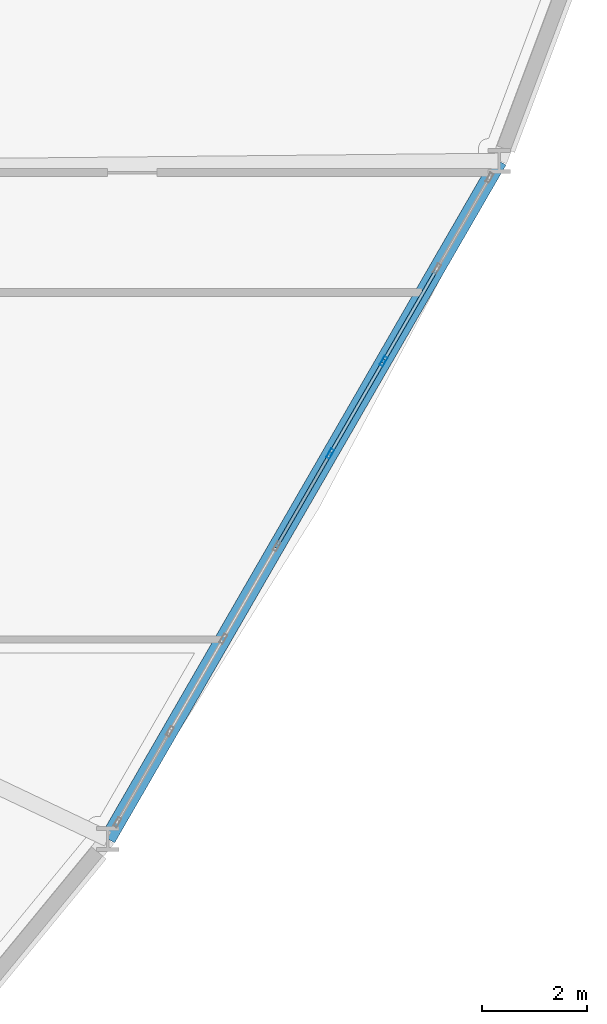
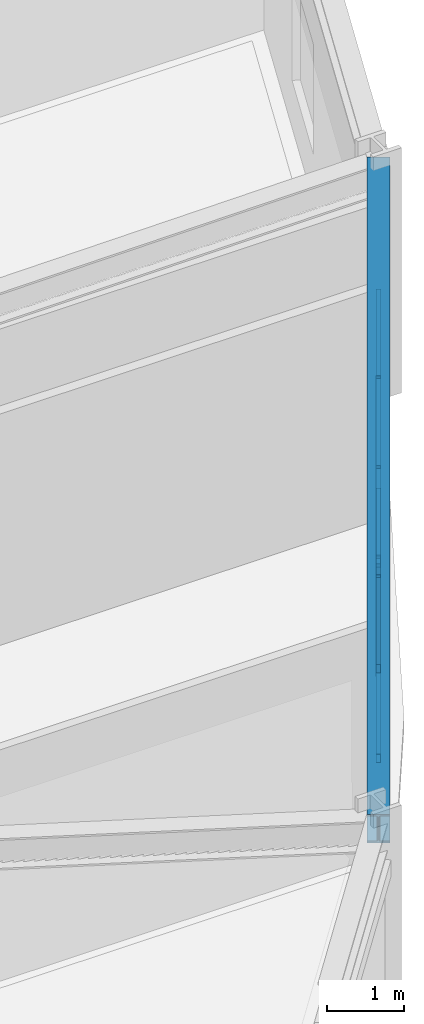
# One storey, part 7 of 20: 9 members, 1 beam, 1 element without a shape of its own.
"""IFC4 building model written with IfcOpenShell, lengths in metres."""

import ifcopenshell
import ifcopenshell.guid

model = None  # the IFC model being written
_history = None  # IfcOwnerHistory: only IFC2X3 demands one
_inside = {}  # id of a spatial element -> (the spatial element, [elements in it])
_under = {}  # id of a project, library or spatial element -> (it, [spatial elements below it])
_declared = {}  # id of a project -> (the project, [libraries it declares])
_typed = {}  # id of a type object -> (the type object, [elements of that type])
_made_of = {}  # id of a material, layer set ... -> (it, [elements and type objects made of it])


def new_model(schema):
    """Start an empty IFC model of exactly this schema.

    Asked for "IFC4X3", IfcOpenShell would pick the latest addendum, in which some entities
    have other attributes; the version numbers below select the first issue.
    IFC2X3 requires an IfcOwnerHistory on every rooted entity: one is made here for all.
    """
    global model, _history
    if schema == "IFC4X3":
        model = ifcopenshell.file(schema_version=(4, 3, 0, 0))
    else:
        model = ifcopenshell.file(schema=schema)
    _inside.clear()
    _under.clear()
    _declared.clear()
    _typed.clear()
    _made_of.clear()
    _history = None
    if model.schema == "IFC2X3":
        org = make("IfcOrganization", Name="unknown")
        user = make(
            "IfcPersonAndOrganization",
            ThePerson=make("IfcPerson", FamilyName="unknown"),
            TheOrganization=org,
        )
        app = make(
            "IfcApplication",
            ApplicationDeveloper=org,
            Version="unknown",
            ApplicationFullName="unknown",
            ApplicationIdentifier="unknown",
        )
        _history = make(
            "IfcOwnerHistory",
            OwningUser=user,
            OwningApplication=app,
            ChangeAction="ADDED",
            CreationDate=0,
        )
    return model


def make(cls, **values):
    """One entity of the class cls with the attributes given. An attribute that is None is left unset."""
    return model.create_entity(
        cls, **{name: value for name, value in values.items() if value is not None}
    )


def rooted(cls, **values):
    """An entity with a GlobalId (a new one), such as an element, a storey or a relation."""
    return make(cls, GlobalId=ifcopenshell.guid.new(), OwnerHistory=_history, **values)


def si_unit(unit_type, name, prefix=None):
    """IfcSIUnit, for example si_unit("LENGTHUNIT", "METRE", prefix="MILLI")."""
    return make("IfcSIUnit", UnitType=unit_type, Prefix=prefix, Name=name)


def derived_unit(unit_type, elements):
    """IfcDerivedUnit: a product of units, each with its exponent."""
    return make(
        "IfcDerivedUnit",
        Elements=[
            make("IfcDerivedUnitElement", Unit=unit, Exponent=power)
            for unit, power in elements
        ],
        UnitType=unit_type,
    )


def assignment(units):
    """IfcUnitAssignment: the units of a project."""
    return None if units is None else make("IfcUnitAssignment", Units=units)


def point(xyz):
    """IfcCartesianPoint."""
    return None if xyz is None else make("IfcCartesianPoint", Coordinates=xyz)


def direction(xyz):
    """IfcDirection."""
    return None if xyz is None else make("IfcDirection", DirectionRatios=xyz)


def frame(location, z_axis=None, x_axis=None):
    """IfcAxis2Placement3D, a coordinate frame: its origin and axes. An axis left out is left unset."""
    return make(
        "IfcAxis2Placement3D",
        Location=point(location),
        Axis=direction(z_axis),
        RefDirection=direction(x_axis),
    )


def frame_2d(location, x_axis=None):
    """IfcAxis2Placement2D, a coordinate frame in the plane: its origin and x axis."""
    return make(
        "IfcAxis2Placement2D", Location=point(location), RefDirection=direction(x_axis)
    )


def origin():
    """The frame at (0, 0, 0) with its axes left unset."""
    return frame((0.0, 0.0, 0.0))


def origin_2d():
    """The frame at (0, 0) in the plane with its x axis left unset."""
    return frame_2d((0.0, 0.0))


def place(relative_to, where):
    """IfcLocalPlacement: puts the frame where relative to a parent placement (None: the world)."""
    return make(
        "IfcLocalPlacement", PlacementRelTo=relative_to, RelativePlacement=where
    )


def context(
    kind, dimensions, precision=None, world=None, true_north=None, identifier=None
):
    """IfcGeometricRepresentationContext, for example the 3D "Model" context."""
    return make(
        "IfcGeometricRepresentationContext",
        ContextIdentifier=identifier,
        ContextType=kind,
        CoordinateSpaceDimension=dimensions,
        Precision=precision,
        WorldCoordinateSystem=world,
        TrueNorth=true_north,
    )


def subcontext(parent, identifier, kind, view, scale=None):
    """IfcGeometricRepresentationSubContext, for example "Body" below "Model"."""
    return make(
        "IfcGeometricRepresentationSubContext",
        ContextIdentifier=identifier,
        ContextType=kind,
        ParentContext=parent,
        TargetScale=scale,
        TargetView=view,
    )


def project(units=None, contexts=None):
    """IfcProject with its units and contexts."""
    return rooted(
        "IfcProject",
        Name="project",
        RepresentationContexts=contexts,
        UnitsInContext=assignment(units),
    )


def spatial(cls, under=None, at=None, **own):
    """A site, building, storey or space (cls), placed at a placement, below another one or the project."""
    s = rooted(cls, ObjectPlacement=at, **own)
    if under is not None:
        _under.setdefault(under.id(), (under, []))[1].append(s)
    return s


def profile(cls, at=None, kind="AREA", **sizes):
    """A parametric profile (cls). Its sizes go by their IFC names, for example OverallWidth=200.0."""
    return make(cls, ProfileType=kind, Position=at, **sizes)


def hollow_rectangle(**sizes):
    """IfcRectangleHollowProfileDef."""
    return profile("IfcRectangleHollowProfileDef", **sizes)


def i_section(**sizes):
    """IfcIShapeProfileDef."""
    return profile("IfcIShapeProfileDef", **sizes)


def extrude(swept, where, along, depth):
    """IfcExtrudedAreaSolid: the profile swept, set in the frame where, extruded along a direction by depth."""
    return make(
        "IfcExtrudedAreaSolid",
        SweptArea=swept,
        Position=where,
        ExtrudedDirection=direction(along),
        Depth=depth,
    )


def shape(context_of_items, identifier, shape_type, items):
    """IfcShapeRepresentation: the items that make up one representation, for example the "Body"."""
    return make(
        "IfcShapeRepresentation",
        ContextOfItems=context_of_items,
        RepresentationIdentifier=identifier,
        RepresentationType=shape_type,
        Items=items,
    )


def source(mapping_origin, context_of_items, identifier, shape_type, items):
    """IfcRepresentationMap: a shape defined once, which mapped items show again and again."""
    return make(
        "IfcRepresentationMap",
        MappingOrigin=mapping_origin,
        MappedRepresentation=shape(context_of_items, identifier, shape_type, items),
    )


def transform(
    local_origin,
    x_axis=None,
    y_axis=None,
    z_axis=None,
    scale=None,
    scale2=None,
    scale3=None,
    uniform=True,
):
    """IfcCartesianTransformationOperator3D, or its non-uniform kind. x_axis, y_axis, z_axis: its Axis1, 2, 3."""
    if uniform:
        return make(
            "IfcCartesianTransformationOperator3D",
            Axis1=direction(x_axis),
            Axis2=direction(y_axis),
            LocalOrigin=point(local_origin),
            Scale=scale,
            Axis3=direction(z_axis),
        )
    return make(
        "IfcCartesianTransformationOperator3DnonUniform",
        Axis1=direction(x_axis),
        Axis2=direction(y_axis),
        LocalOrigin=point(local_origin),
        Scale=scale,
        Axis3=direction(z_axis),
        Scale2=scale2,
        Scale3=scale3,
    )


def mapped(mapping_source, mapping_target):
    """IfcMappedItem: shows the shape of a source again, moved by a transform."""
    return make(
        "IfcMappedItem", MappingSource=mapping_source, MappingTarget=mapping_target
    )


def material(Name=None, Category=None):
    """IfcMaterial."""
    return make("IfcMaterial", Name=Name, Category=Category)


def layer(
    of_material, thickness, ventilated=None, Name=None, Category=None, Priority=None
):
    """IfcMaterialLayer: one layer of a wall or slab, of a material (None: an air gap)."""
    return make(
        "IfcMaterialLayer",
        Material=of_material,
        LayerThickness=thickness,
        IsVentilated=ventilated,
        Name=Name,
        Category=Category,
        Priority=Priority,
    )


def layer_set(layers, Name=None):
    """IfcMaterialLayerSet."""
    return make("IfcMaterialLayerSet", MaterialLayers=layers, LayerSetName=Name)


def material_profile(
    of_material, cross_section, Name=None, Category=None, Priority=None
):
    """IfcMaterialProfile: a cross section and its material."""
    return make(
        "IfcMaterialProfile",
        Name=Name,
        Material=of_material,
        Profile=cross_section,
        Priority=Priority,
        Category=Category,
    )


def profile_set(profiles, Name=None, composite=None):
    """IfcMaterialProfileSet."""
    return make(
        "IfcMaterialProfileSet",
        Name=Name,
        MaterialProfiles=profiles,
        CompositeProfile=composite,
    )


def made_of(thing, what):
    """Note that an element or type object is made of a material, layer set ...; save() writes the relation."""
    if what is not None:
        _made_of.setdefault(what.id(), (what, []))[1].append(thing)
    return thing


def type_object(cls, material=None, **own):
    """A type object (cls), such as IfcWallType, which elements share."""
    return made_of(rooted(cls, **own), material)


def element(
    cls,
    number,
    at=None,
    inside=None,
    cuts=None,
    type_object=None,
    material=None,
    context=None,
    identifier="Body",
    shape_type=None,
    held_by="IfcProductDefinitionShape",
    body=None,
    shapes=None,
    **own,
):
    """One element of the class cls, such as IfcWall. Its Tag is "e" and its number.

    at: its placement. inside: the storey or other place that contains it. cuts: it is an
    opening in that element (IfcRelVoidsElement). A single representation is given by context,
    identifier, shape_type and body (its items); several are given by shapes. held_by: the class
    of the entity that holds the representations. save() writes the other relations.
    """
    e = rooted(cls, Tag="e%d" % number, ObjectPlacement=at, **own)
    if body is not None:
        shapes = [shape(context, identifier, shape_type, body)]
    if shapes is not None:
        e.Representation = make(held_by, Representations=shapes)
    if inside is not None:
        _inside.setdefault(inside.id(), (inside, []))[1].append(e)
    if cuts is not None:
        rooted(
            "IfcRelVoidsElement", RelatingBuildingElement=cuts, RelatedOpeningElement=e
        )
    if type_object is not None:
        _typed.setdefault(type_object.id(), (type_object, []))[1].append(e)
    return made_of(e, material)


def aggregate(whole, parts):
    """IfcRelAggregates: a whole, such as a stair, and the parts it consists of."""
    return rooted("IfcRelAggregates", RelatingObject=whole, RelatedObjects=parts)


def save(model, path):
    """Write the relations noted so far, then the file.

    IfcRelAggregates (storeys below a building ...), IfcRelContainedInSpatialStructure (elements
    in a storey), IfcRelDefinesByType, IfcRelAssociatesMaterial and IfcRelDeclares: one each for
    every whole, place, type object, material and project.
    """
    for whole, parts in _under.values():
        aggregate(whole, parts)
    for where, things in _inside.values():
        rooted(
            "IfcRelContainedInSpatialStructure",
            RelatedElements=things,
            RelatingStructure=where,
        )
    for kind, things in _typed.values():
        rooted("IfcRelDefinesByType", RelatedObjects=things, RelatingType=kind)
    for what, things in _made_of.values():
        rooted("IfcRelAssociatesMaterial", RelatedObjects=things, RelatingMaterial=what)
    for by, libraries in _declared.values():
        rooted("IfcRelDeclares", RelatingContext=by, RelatedDefinitions=libraries)
    model.write(path)


model = new_model("IFC4")

# Units and contexts
model_context = context("Model", 3, precision=1e-05, world=origin(), true_north=direction((0.0, 1.0)))
body_context = subcontext(model_context, "Body", "Model", "MODEL_VIEW")
ifc_project = project(units=[si_unit("LENGTHUNIT", "METRE"), si_unit("AREAUNIT", "SQUARE_METRE"), si_unit("VOLUMEUNIT", "CUBIC_METRE"), si_unit("PLANEANGLEUNIT", "RADIAN"), si_unit("MASSUNIT", "GRAM", prefix="KILO"), derived_unit("THERMALTRANSMITTANCEUNIT", [(si_unit("POWERUNIT", "WATT"), 1), (si_unit("LENGTHUNIT", "METRE"), -2), (si_unit("THERMODYNAMICTEMPERATUREUNIT", "KELVIN"), -1)])], contexts=[model_context])

# Site, building, storey
site_placement = place(None, origin())
site = spatial("IfcSite", under=ifc_project, at=site_placement, CompositionType="ELEMENT")
building_placement = place(site_placement, origin())
building = spatial("IfcBuilding", under=site, at=building_placement, Name="Korsvarv Bourse and Concert Hall", CompositionType="ELEMENT")
storey_placement = place(building_placement, frame((0.0, 0.0, 79.5)))
storey = spatial("IfcBuildingStorey", under=building, at=storey_placement, Name="L19", CompositionType="ELEMENT", Elevation=79.5)

# Beam
ifc_material_1 = material(Name="Steel S355", Category="steel")
ifc_material_profile_1 = material_profile(ifc_material_1, i_section(OverallWidth=0.300048828125, OverallDepth=0.449951171875, WebThickness=0.013916015625, FlangeThickness=0.02587890625, FilletRadius=0.02099609375, at=origin_2d()), Name="HEB 450")
ifc_profile_set_1 = profile_set([ifc_material_profile_1], Name="Steel S355")
beam_type = type_object("IfcBeamType", Name="BM-HEB450", PredefinedType="SPANDREL", material=ifc_profile_set_1)
shared_shape_1 = source(origin(), body_context, "Body", "SweptSolid", [
    extrude(i_section(OverallWidth=0.300048828125, OverallDepth=0.449951171875, WebThickness=0.013916015625, FlangeThickness=0.02587890625, FilletRadius=0.02099609375, at=origin_2d()), origin(), (0.0, 0.0, 1.0), 14.937255859375),
])
beam_placement = place(storey_placement, frame((53.671630859375, 19.59814453125, 3.455078125), z_axis=(0.500006357572, 0.866021733208, 0.0), x_axis=(-0.866021733208, 0.500006357572, 0.0)))
element("IfcBeam", 1, at=beam_placement, inside=storey, type_object=beam_type, Name="L19 beam B-08", PredefinedType="SPANDREL", context=body_context, shape_type="MappedRepresentation", body=[
    mapped(shared_shape_1, transform((0.0, 0.0, 0.0), scale=1.0)),
])

# Curtain wall, members
ifc_material_2 = material(Name="Anodised aluminium and triple low-E glazing", Category="glass")
ifc_layer = layer(ifc_material_2, 0.219970703125)
ifc_layer_set = layer_set([ifc_layer], Name="Anodised aluminium and triple low-E glazing")
curtain_wall_type = type_object("IfcCurtainWallType", Name="CW-SYS-1", PredefinedType="NOTDEFINED", material=ifc_layer_set)
curtain_wall_placement = place(storey_placement, origin())
curtain_wall = element("IfcCurtainWall", 2, at=curtain_wall_placement, inside=storey, type_object=curtain_wall_type, Name="L19 CW1 curtain wall CW-L19-F11", PredefinedType="NOTDEFINED")
ifc_material_3 = material(Name="Extruded aluminium EN AW-6063 T66", Category="aluminium")
ifc_material_profile_2 = material_profile(ifc_material_3, hollow_rectangle(XDim=0.070068359375, YDim=0.18994140625, WallThickness=0.0048828125, at=origin_2d()), Name="ALU-M 70x190")
ifc_profile_set_2 = profile_set([ifc_material_profile_2], Name="Extruded aluminium EN AW-6063 T66")
member_type_1 = type_object("IfcMemberType", Name="CWM-190", PredefinedType="MULLION", material=ifc_profile_set_2)
shared_shape_2 = source(origin(), body_context, "Body", "SweptSolid", [
    extrude(hollow_rectangle(XDim=0.070068359375, YDim=0.18994140625, WallThickness=0.0048828125, at=origin_2d()), origin(), (0.0, 0.0, 1.0), 3.22998046875),
])
member_1_placement = place(storey_placement, frame((57.915771484375, 26.94921875, 0.0), z_axis=(0.0, 0.0, 1.0), x_axis=(-0.866024243871, 0.500002009023, 0.0)))
member_1 = element("IfcMember", 3, at=member_1_placement, type_object=member_type_1, Name="CW1 mullion 5", PredefinedType="MULLION", context=body_context, shape_type="MappedRepresentation", body=[
    mapped(shared_shape_2, transform((0.0, 0.0, 0.0), scale=1.0)),
])
member_2_placement = place(storey_placement, frame((58.935302734375, 28.715087890625, 0.0), z_axis=(0.0, 0.0, 1.0), x_axis=(-0.866024243871, 0.500002009023, 0.0)))
member_2 = element("IfcMember", 4, at=member_2_placement, type_object=member_type_1, Name="CW1 mullion 6", PredefinedType="MULLION", context=body_context, shape_type="MappedRepresentation", body=[
    mapped(shared_shape_2, transform((0.0, 0.0, 0.0), scale=1.0)),
])
ifc_material_profile_3 = material_profile(ifc_material_3, hollow_rectangle(XDim=0.06494140625, YDim=0.139892578125, WallThickness=0.00390625, at=origin_2d()), Name="ALU-T 65x140")
ifc_profile_set_3 = profile_set([ifc_material_profile_3], Name="Extruded aluminium EN AW-6063 T66")
member_type_2 = type_object("IfcMemberType", Name="CWT-140", PredefinedType="USERDEFINED", material=ifc_profile_set_3)
shared_shape_3 = source(origin(), body_context, "Body", "SweptSolid", [
    extrude(hollow_rectangle(XDim=0.06494140625, YDim=0.139892578125, WallThickness=0.00390625, at=origin_2d()), origin(), (0.0, 0.0, 1.0), 1.969482421875),
])
member_3_placement = place(storey_placement, frame((56.91357421875, 25.21337890625, 0.032470703125), z_axis=(0.499965693083, 0.866045209986, 0.0), x_axis=(-0.866045209986, 0.499965693083, 0.0)))
member_3 = element("IfcMember", 5, at=member_3_placement, type_object=member_type_2, Name="CW1 transom 4.1", ObjectType="TRANSOM", PredefinedType="USERDEFINED", context=body_context, shape_type="MappedRepresentation", body=[
    mapped(shared_shape_3, transform((0.0, 0.0, 0.0), scale=1.0)),
])
member_4_placement = place(storey_placement, frame((56.91357421875, 25.21337890625, 3.197509765625), z_axis=(0.499965693083, 0.866045209986, 0.0), x_axis=(-0.866045209986, 0.499965693083, 0.0)))
member_4 = element("IfcMember", 6, at=member_4_placement, type_object=member_type_2, Name="CW1 transom 4.2", ObjectType="TRANSOM", PredefinedType="USERDEFINED", context=body_context, shape_type="MappedRepresentation", body=[
    mapped(shared_shape_3, transform((0.0, 0.0, 0.0), scale=1.0)),
])
member_5_placement = place(storey_placement, frame((58.952880859375, 28.745361328125, 0.032470703125), z_axis=(0.499965693083, 0.866045209986, 0.0), x_axis=(-0.866045209986, 0.499965693083, 0.0)))
member_5 = element("IfcMember", 7, at=member_5_placement, type_object=member_type_2, Name="CW1 transom 6.1", ObjectType="TRANSOM", PredefinedType="USERDEFINED", context=body_context, shape_type="MappedRepresentation", body=[
    mapped(shared_shape_3, transform((0.0, 0.0, 0.0), scale=1.0)),
])
member_6_placement = place(storey_placement, frame((58.952880859375, 28.745361328125, 3.197509765625), z_axis=(0.499965693083, 0.866045209986, 0.0), x_axis=(-0.866045209986, 0.499965693083, 0.0)))
member_6 = element("IfcMember", 8, at=member_6_placement, type_object=member_type_2, Name="CW1 transom 6.2", ObjectType="TRANSOM", PredefinedType="USERDEFINED", context=body_context, shape_type="MappedRepresentation", body=[
    mapped(shared_shape_3, transform((0.0, 0.0, 0.0), scale=1.0)),
])
shared_shape_4 = source(origin(), body_context, "Body", "SweptSolid", [
    extrude(hollow_rectangle(XDim=0.06494140625, YDim=0.139892578125, WallThickness=0.00390625, at=origin_2d()), origin(), (0.0, 0.0, 1.0), 1.96923828125),
])
member_7_placement = place(storey_placement, frame((57.933349609375, 26.9794921875, 0.032470703125), z_axis=(0.500019375444, 0.866014217078, 0.0), x_axis=(-0.866014217078, 0.500019375444, 0.0)))
member_7 = element("IfcMember", 9, at=member_7_placement, type_object=member_type_2, Name="CW1 transom 5.1", ObjectType="TRANSOM", PredefinedType="USERDEFINED", context=body_context, shape_type="MappedRepresentation", body=[
    mapped(shared_shape_4, transform((0.0, 0.0, 0.0), scale=1.0)),
])
member_8_placement = place(storey_placement, frame((57.933349609375, 26.9794921875, 3.197509765625), z_axis=(0.500019375444, 0.866014217078, 0.0), x_axis=(-0.866014217078, 0.500019375444, 0.0)))
member_8 = element("IfcMember", 10, at=member_8_placement, type_object=member_type_2, Name="CW1 transom 5.2", ObjectType="TRANSOM", PredefinedType="USERDEFINED", context=body_context, shape_type="MappedRepresentation", body=[
    mapped(shared_shape_4, transform((0.0, 0.0, 0.0), scale=1.0)),
])
ifc_material_profile_4 = material_profile(ifc_material_3, hollow_rectangle(XDim=0.06494140625, YDim=0.1650390625, WallThickness=0.0048828125, at=origin_2d()), Name="ALU-M 65x165")
ifc_profile_set_4 = profile_set([ifc_material_profile_4], Name="Extruded aluminium EN AW-6063 T66")
member_type_3 = type_object("IfcMemberType", Name="CWM-165", PredefinedType="MULLION", material=ifc_profile_set_4)
shared_shape_5 = source(origin(), body_context, "Body", "SweptSolid", [
    extrude(hollow_rectangle(XDim=0.06494140625, YDim=0.1650390625, WallThickness=0.0048828125, at=origin_2d()), origin(), (0.0, 0.0, 1.0), 3.6728515625),
])
member_9_placement = place(storey_placement, frame((57.898193359375, 26.9189453125, 0.06494140625), z_axis=(-0.268088262192, -0.464384973884, 0.844082507641), x_axis=(0.866045209986, -0.499965693083, 0.0)))
member_9 = element("IfcMember", 11, at=member_9_placement, type_object=member_type_3, Name="CW1 diagonal mullion 4", PredefinedType="MULLION", context=body_context, shape_type="MappedRepresentation", body=[
    mapped(shared_shape_5, transform((0.0, 0.0, 0.0), scale=1.0)),
])
aggregate(curtain_wall, [member_1, member_2, member_3, member_4, member_9, member_7, member_8, member_5, member_6])

save(model, "model.ifc")
